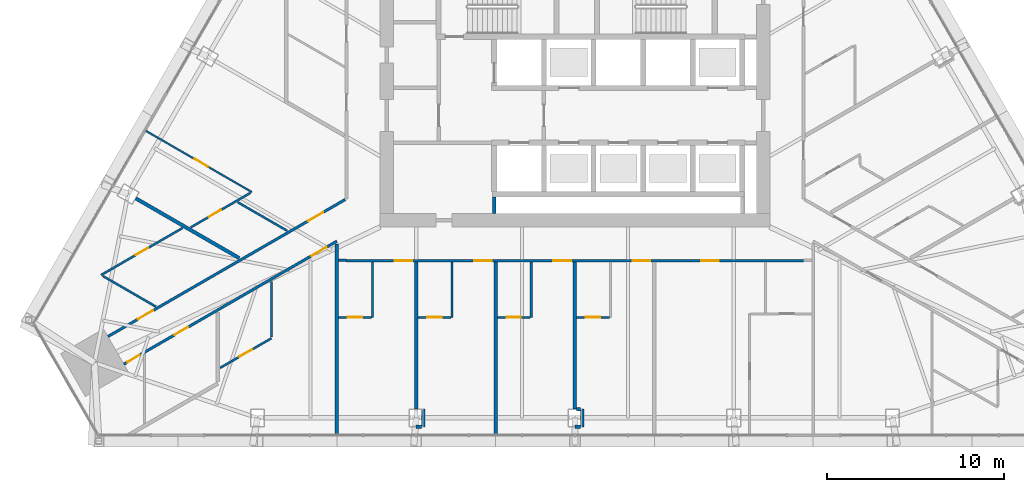
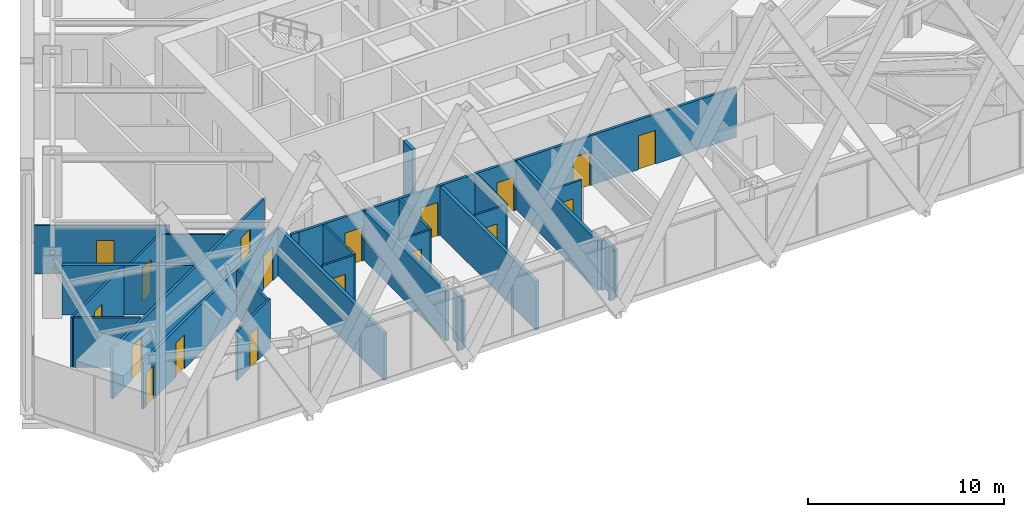
# One storey, part 17 of 24: 29 walls, 18 doors, 18 openings.
"""IFC4 building model written with IfcOpenShell, lengths in metres."""

from ifc_helpers import new_model, si_unit, direction, frame, frame_2d, origin, place, context, subcontext, project, spatial, rectangle, extrude, material, layer, layer_set, type_object, element, fill, save


model = new_model("IFC4")

# Units and contexts
model_context = context("Model", 3, precision=1e-05, world=origin(), true_north=direction((0.0, 1.0)))
body_context = subcontext(model_context, "Body", "Model", "MODEL_VIEW")
ifc_project = project(units=[si_unit("LENGTHUNIT", "METRE"), si_unit("AREAUNIT", "SQUARE_METRE"), si_unit("VOLUMEUNIT", "CUBIC_METRE"), si_unit("PLANEANGLEUNIT", "RADIAN"), si_unit("MASSUNIT", "GRAM", prefix="KILO")], contexts=[model_context])

# Site, building, storey
site_placement = place(None, origin())
site = spatial("IfcSite", under=ifc_project, at=site_placement, CompositionType="ELEMENT")
building_placement = place(site_placement, origin())
building = spatial("IfcBuilding", under=site, at=building_placement, Name="Firuza Gate Tower and Library", CompositionType="ELEMENT")
storey_placement = place(building_placement, frame((0.0, 0.0, 171.39990234375)))
storey = spatial("IfcBuildingStorey", under=building, at=storey_placement, Name="L39", CompositionType="ELEMENT", Elevation=171.39990234375)

# Wall
ifc_material_1 = material(Name="Plasterboard on steel studs", Category="steel")
ifc_layer_1 = layer(ifc_material_1, 0.199951171875)
ifc_layer_set_1 = layer_set([ifc_layer_1], Name="Core partition 200 EI 120")
wall_type_1 = type_object("IfcWallType", Name="Core partition 200 EI 120", PredefinedType="PARTITIONING", material=ifc_layer_set_1)
wall_1_placement = place(storey_placement, frame((70.449951171875, 67.75, 0.0), z_axis=(0.0, 0.0, 1.0), x_axis=(0.0, 1.0, 0.0)))
element("IfcWall", 1, at=wall_1_placement, inside=storey, type_object=wall_type_1, Name="Core partition L39 9", PredefinedType="PARTITIONING", context=body_context, shape_type="SweptSolid", body=[
    extrude(rectangle(XDim=0.949951171875, YDim=0.199951171875, at=frame_2d((0.47509765625, 0.0))), origin(), (0.0, 0.0, 1.0), 3.7001953125),
])

# Wall, openings, doors
ifc_material_2 = material(Name="Gypsum board partition")
ifc_layer_2 = layer(ifc_material_2, 0.14990234375)
ifc_layer_set_2 = layer_set([ifc_layer_2], Name="Corridor wall 150 double board on steel studs")
wall_type_2 = type_object("IfcWallType", Name="Corridor wall 150 double board on steel studs", PredefinedType="PARTITIONING", material=ifc_layer_set_2)
wall_2_placement = place(storey_placement, frame((87.8994140625, 65.10009765625, 0.0), z_axis=(0.0, 0.0, 1.0), x_axis=(-1.0, 0.0, 0.0)))
wall_2 = element("IfcWall", 2, at=wall_2_placement, inside=storey, type_object=wall_type_2, Name="f:L39:w008", PredefinedType="PARTITIONING", context=body_context, shape_type="SweptSolid", body=[
    extrude(rectangle(XDim=25.798828125, YDim=0.14990234375, at=frame_2d((12.8994140625, 0.0))), origin(), (0.0, 0.0, 1.0), 3.10009765625),
])
opening_1_placement = place(wall_2_placement, frame((4.781982421875, 0.0, 0.0)))
opening_1 = element("IfcOpeningElement", 3, at=opening_1_placement, cuts=wall_2, Name="Opening L39-06", PredefinedType="OPENING", context=body_context, shape_type="SweptSolid", body=[
    extrude(rectangle(XDim=1.0, YDim=2.10009765625, at=frame_2d((0.5, 1.050048828125))), frame((0.0, 0.0849609375, 0.0), z_axis=(0.0, -1.0, 0.0), x_axis=(1.0, 0.0, 0.0)), (0.0, 0.0, 1.0), 0.169921875),
])
opening_2_placement = place(wall_2_placement, frame((8.63623046875, 0.0, 0.0)))
opening_2 = element("IfcOpeningElement", 4, at=opening_2_placement, cuts=wall_2, Name="Opening L39-07", PredefinedType="OPENING", context=body_context, shape_type="SweptSolid", body=[
    extrude(rectangle(XDim=1.0, YDim=2.10009765625, at=frame_2d((0.5, 1.050048828125))), frame((0.0, 0.0849609375, 0.0), z_axis=(0.0, -1.0, 0.0), x_axis=(1.0, 0.0, 0.0)), (0.0, 0.0, 1.0), 0.169921875),
])
opening_3_placement = place(wall_2_placement, frame((13.1171875, 0.0, 0.0)))
opening_3 = element("IfcOpeningElement", 5, at=opening_3_placement, cuts=wall_2, Name="Opening L39-08", PredefinedType="OPENING", context=body_context, shape_type="SweptSolid", body=[
    extrude(rectangle(XDim=1.0, YDim=2.10009765625, at=frame_2d((0.5, 1.050048828125))), frame((0.0, 0.0849609375, 0.0), z_axis=(0.0, -1.0, 0.0), x_axis=(1.0, 0.0, 0.0)), (0.0, 0.0, 1.0), 0.169921875),
])
opening_4_placement = place(wall_2_placement, frame((17.59814453125, 0.0, 0.0)))
opening_4 = element("IfcOpeningElement", 6, at=opening_4_placement, cuts=wall_2, Name="Opening L39-09", PredefinedType="OPENING", context=body_context, shape_type="SweptSolid", body=[
    extrude(rectangle(XDim=1.0, YDim=2.10009765625, at=frame_2d((0.5, 1.050048828125))), frame((0.0, 0.0849609375, 0.0), z_axis=(0.0, -1.0, 0.0), x_axis=(1.0, 0.0, 0.0)), (0.0, 0.0, 1.0), 0.169921875),
])
opening_5_placement = place(wall_2_placement, frame((22.0791015625, 0.0, 0.0)))
opening_5 = element("IfcOpeningElement", 7, at=opening_5_placement, cuts=wall_2, Name="Opening L39-10", PredefinedType="OPENING", context=body_context, shape_type="SweptSolid", body=[
    extrude(rectangle(XDim=1.0, YDim=2.10009765625, at=frame_2d((0.5, 1.050048828125))), frame((0.0, 0.0849609375, 0.0), z_axis=(0.0, -1.0, 0.0), x_axis=(1.0, 0.0, 0.0)), (0.0, 0.0, 1.0), 0.169921875),
])
ifc_material_3 = material(Name="Steel door and timber leaf", Category="steel")
door_type_1 = type_object("IfcDoorType", Name="Fire door 1000 x 2100 steel frame, timber leaf", OperationType="NOTDEFINED", PredefinedType="DOOR", material=ifc_material_3)
door_1_placement = place(opening_1_placement, origin())
door_1 = element("IfcDoor", 8, at=door_1_placement, inside=storey, type_object=door_type_1, Name="f:L39:d006", OperationType="SINGLE_SWING_RIGHT", OverallHeight=2.10009765625, OverallWidth=1.0, PredefinedType="DOOR", context=body_context, shape_type="SweptSolid", body=[
    extrude(rectangle(XDim=1.0, YDim=2.10009765625, at=frame_2d((0.5, 1.050048828125))), frame((0.0, 0.02490234375, 0.0), z_axis=(0.0, -1.0, 0.0), x_axis=(1.0, 0.0, 0.0)), (0.0, 0.0, 1.0), 0.050048828125),
])
fill(opening_1, door_1)
door_2_placement = place(opening_2_placement, origin())
door_2 = element("IfcDoor", 9, at=door_2_placement, inside=storey, type_object=door_type_1, Name="f:L39:d007", OperationType="SINGLE_SWING_RIGHT", OverallHeight=2.10009765625, OverallWidth=1.0, PredefinedType="DOOR", context=body_context, shape_type="SweptSolid", body=[
    extrude(rectangle(XDim=1.0, YDim=2.10009765625, at=frame_2d((0.5, 1.050048828125))), frame((0.0, 0.02490234375, 0.0), z_axis=(0.0, -1.0, 0.0), x_axis=(1.0, 0.0, 0.0)), (0.0, 0.0, 1.0), 0.050048828125),
])
fill(opening_2, door_2)
door_3_placement = place(opening_3_placement, origin())
door_3 = element("IfcDoor", 10, at=door_3_placement, inside=storey, type_object=door_type_1, Name="f:L39:d008", OperationType="SINGLE_SWING_RIGHT", OverallHeight=2.10009765625, OverallWidth=1.0, PredefinedType="DOOR", context=body_context, shape_type="SweptSolid", body=[
    extrude(rectangle(XDim=1.0, YDim=2.10009765625, at=frame_2d((0.5, 1.050048828125))), frame((0.0, 0.02490234375, 0.0), z_axis=(0.0, -1.0, 0.0), x_axis=(1.0, 0.0, 0.0)), (0.0, 0.0, 1.0), 0.050048828125),
])
fill(opening_3, door_3)
door_4_placement = place(opening_4_placement, origin())
door_4 = element("IfcDoor", 11, at=door_4_placement, inside=storey, type_object=door_type_1, Name="f:L39:d009", OperationType="SINGLE_SWING_RIGHT", OverallHeight=2.10009765625, OverallWidth=1.0, PredefinedType="DOOR", context=body_context, shape_type="SweptSolid", body=[
    extrude(rectangle(XDim=1.0, YDim=2.10009765625, at=frame_2d((0.5, 1.050048828125))), frame((0.0, 0.02490234375, 0.0), z_axis=(0.0, -1.0, 0.0), x_axis=(1.0, 0.0, 0.0)), (0.0, 0.0, 1.0), 0.050048828125),
])
fill(opening_4, door_4)
door_5_placement = place(opening_5_placement, origin())
door_5 = element("IfcDoor", 12, at=door_5_placement, inside=storey, type_object=door_type_1, Name="f:L39:d010", OperationType="SINGLE_SWING_RIGHT", OverallHeight=2.10009765625, OverallWidth=1.0, PredefinedType="DOOR", context=body_context, shape_type="SweptSolid", body=[
    extrude(rectangle(XDim=1.0, YDim=2.10009765625, at=frame_2d((0.5, 1.050048828125))), frame((0.0, 0.02490234375, 0.0), z_axis=(0.0, -1.0, 0.0), x_axis=(1.0, 0.0, 0.0)), (0.0, 0.0, 1.0), 0.050048828125),
])
fill(opening_5, door_5)

# Wall
wall_3_placement = place(storey_placement, frame((61.6572265625, 65.118896484375, 0.0), z_axis=(0.0, 0.0, 1.0), x_axis=(1.0, 0.0, 0.0)))
element("IfcWall", 13, at=wall_3_placement, inside=storey, type_object=wall_type_2, Name="f:L39:w009", PredefinedType="PARTITIONING", context=body_context, shape_type="SweptSolid", body=[
    extrude(rectangle(XDim=0.44287109375, YDim=0.14990234375, at=frame_2d((0.221435546875, 0.0))), origin(), (0.0, 0.0, 1.0), 3.10009765625),
])

# Wall, openings, doors
wall_4_placement = place(storey_placement, frame((61.55712890625, 66.19970703125, 0.0), z_axis=(0.0, 0.0, 1.0), x_axis=(-0.866027723534, -0.499995982055, 0.0)))
wall_4 = element("IfcWall", 14, at=wall_4_placement, inside=storey, type_object=wall_type_2, Name="f:L39:w033", PredefinedType="PARTITIONING", context=body_context, shape_type="SweptSolid", body=[
    extrude(rectangle(XDim=13.88134765625, YDim=0.14990234375, at=frame_2d((6.940673828125, 0.0))), origin(), (0.0, 0.0, 1.0), 2.947021484375),
])
opening_6_placement = place(wall_4_placement, frame((0.660888671875, 0.0, 0.0)))
opening_6 = element("IfcOpeningElement", 15, at=opening_6_placement, cuts=wall_4, Name="Opening L39-20", PredefinedType="OPENING", context=body_context, shape_type="SweptSolid", body=[
    extrude(rectangle(XDim=1.0, YDim=2.10009765625, at=frame_2d((0.5, 1.050048828125))), frame((0.0, 0.0849609375, 0.0), z_axis=(0.0, -1.0, 0.0), x_axis=(1.0, 0.0, 0.0)), (0.0, 0.0, 1.0), 0.169921875),
])
opening_7_placement = place(wall_4_placement, frame((9.6962890625, 0.0, 0.0)))
opening_7 = element("IfcOpeningElement", 16, at=opening_7_placement, cuts=wall_4, Name="Opening L39-21", PredefinedType="OPENING", context=body_context, shape_type="SweptSolid", body=[
    extrude(rectangle(XDim=0.89990234375, YDim=2.10009765625, at=frame_2d((0.449951171875, 1.050048828125))), frame((0.0, 0.0849609375, 0.0), z_axis=(0.0, -1.0, 0.0), x_axis=(1.0, 0.0, 0.0)), (0.0, 0.0, 1.0), 0.169921875),
])
opening_8_placement = place(wall_4_placement, frame((12.854736328125, 0.0, 0.0)))
opening_8 = element("IfcOpeningElement", 17, at=opening_8_placement, cuts=wall_4, Name="Opening L39-22", PredefinedType="OPENING", context=body_context, shape_type="SweptSolid", body=[
    extrude(rectangle(XDim=0.800048828125, YDim=2.10009765625, at=frame_2d((0.39990234375, 1.050048828125))), frame((0.0, 0.0849609375, 0.0), z_axis=(0.0, -1.0, 0.0), x_axis=(1.0, 0.0, 0.0)), (0.0, 0.0, 1.0), 0.169921875),
])
ifc_material_4 = material(Name="Timber door", Category="wood")
door_type_2 = type_object("IfcDoorType", Name="Door 800 x 2100 timber leaf", OperationType="NOTDEFINED", PredefinedType="DOOR", material=ifc_material_4)
door_6_placement = place(opening_8_placement, origin())
door_6 = element("IfcDoor", 18, at=door_6_placement, inside=storey, type_object=door_type_2, Name="f:L39:d022", OperationType="SINGLE_SWING_RIGHT", OverallHeight=2.10009765625, OverallWidth=0.800048828125, PredefinedType="DOOR", context=body_context, shape_type="SweptSolid", body=[
    extrude(rectangle(XDim=0.800048828125, YDim=2.10009765625, at=frame_2d((0.39990234375, 1.050048828125))), frame((0.0, 0.02490234375, 0.0), z_axis=(0.0, -1.0, 0.0), x_axis=(1.0, 0.0, 0.0)), (0.0, 0.0, 1.0), 0.050048828125),
])
fill(opening_8, door_6)
door_7_placement = place(opening_6_placement, origin())
door_7 = element("IfcDoor", 19, at=door_7_placement, inside=storey, type_object=door_type_1, Name="f:L39:d020", OperationType="SINGLE_SWING_RIGHT", OverallHeight=2.10009765625, OverallWidth=1.0, PredefinedType="DOOR", context=body_context, shape_type="SweptSolid", body=[
    extrude(rectangle(XDim=1.0, YDim=2.10009765625, at=frame_2d((0.5, 1.050048828125))), frame((0.0, 0.02490234375, 0.0), z_axis=(0.0, -1.0, 0.0), x_axis=(1.0, 0.0, 0.0)), (0.0, 0.0, 1.0), 0.050048828125),
])
fill(opening_6, door_7)
ifc_material_5 = material(Name="Steel door and timber leaf", Category="steel")
door_type_3 = type_object("IfcDoorType", Name="Fire door 900 x 2100 steel frame, timber leaf", OperationType="NOTDEFINED", PredefinedType="DOOR", material=ifc_material_5)
door_8_placement = place(opening_7_placement, origin())
door_8 = element("IfcDoor", 20, at=door_8_placement, inside=storey, type_object=door_type_3, Name="f:L39:d021", OperationType="SINGLE_SWING_LEFT", OverallHeight=2.10009765625, OverallWidth=0.89990234375, PredefinedType="DOOR", context=body_context, shape_type="SweptSolid", body=[
    extrude(rectangle(XDim=0.89990234375, YDim=2.10009765625, at=frame_2d((0.449951171875, 1.050048828125))), frame((0.0, 0.02490234375, 0.0), z_axis=(0.0, -1.0, 0.0), x_axis=(1.0, 0.0, 0.0)), (0.0, 0.0, 1.0), 0.050048828125),
])
fill(opening_7, door_8)

wall_5_placement = place(storey_placement, frame((48.635498046875, 60.81787109375, 0.0), z_axis=(0.0, 0.0, 1.0), x_axis=(0.866029648708, 0.499992647504, 0.0)))
wall_5 = element("IfcWall", 21, at=wall_5_placement, inside=storey, type_object=wall_type_2, Name="f:L39:w035", PredefinedType="PARTITIONING", context=body_context, shape_type="SweptSolid", body=[
    extrude(rectangle(XDim=15.460693359375, YDim=0.14990234375, at=frame_2d((7.73046875, 0.0))), origin(), (0.0, 0.0, 1.0), 3.10009765625),
])
opening_9_placement = place(wall_5_placement, frame((1.945068359375, 0.0, 0.0)))
opening_9 = element("IfcOpeningElement", 22, at=opening_9_placement, cuts=wall_5, Name="Opening L39-24", PredefinedType="OPENING", context=body_context, shape_type="SweptSolid", body=[
    extrude(rectangle(XDim=1.0, YDim=2.10009765625, at=frame_2d((0.5, 1.050048828125))), frame((0.0, 0.0849609375, 0.0), z_axis=(0.0, -1.0, 0.0), x_axis=(1.0, 0.0, 0.0)), (0.0, 0.0, 1.0), 0.169921875),
])
opening_10_placement = place(wall_5_placement, frame((13.034423828125, 0.0, 0.0)))
opening_10 = element("IfcOpeningElement", 23, at=opening_10_placement, cuts=wall_5, Name="Opening L39-25", PredefinedType="OPENING", context=body_context, shape_type="SweptSolid", body=[
    extrude(rectangle(XDim=1.0, YDim=2.10009765625, at=frame_2d((0.5, 1.050048828125))), frame((0.0, 0.0849609375, 0.0), z_axis=(0.0, -1.0, 0.0), x_axis=(1.0, 0.0, 0.0)), (0.0, 0.0, 1.0), 0.169921875),
])
door_9_placement = place(opening_9_placement, origin())
door_9 = element("IfcDoor", 24, at=door_9_placement, inside=storey, type_object=door_type_1, Name="f:L39:d024", OperationType="SINGLE_SWING_LEFT", OverallHeight=2.10009765625, OverallWidth=1.0, PredefinedType="DOOR", context=body_context, shape_type="SweptSolid", body=[
    extrude(rectangle(XDim=1.0, YDim=2.10009765625, at=frame_2d((0.5, 1.050048828125))), frame((0.0, 0.02490234375, 0.0), z_axis=(0.0, -1.0, 0.0), x_axis=(1.0, 0.0, 0.0)), (0.0, 0.0, 1.0), 0.050048828125),
])
fill(opening_9, door_9)
door_10_placement = place(opening_10_placement, origin())
door_10 = element("IfcDoor", 25, at=door_10_placement, inside=storey, type_object=door_type_1, Name="f:L39:d025", OperationType="SINGLE_SWING_RIGHT", OverallHeight=2.10009765625, OverallWidth=1.0, PredefinedType="DOOR", context=body_context, shape_type="SweptSolid", body=[
    extrude(rectangle(XDim=1.0, YDim=2.10009765625, at=frame_2d((0.5, 1.050048828125))), frame((0.0, 0.02490234375, 0.0), z_axis=(0.0, -1.0, 0.0), x_axis=(1.0, 0.0, 0.0)), (0.0, 0.0, 1.0), 0.050048828125),
])
fill(opening_10, door_10)

# Walls
ifc_material_6 = material(Name="Gypsum board partition")
ifc_layer_3 = layer(ifc_material_6, 0.199951171875)
ifc_layer_set_3 = layer_set([ifc_layer_3], Name="Demising wall 200 acoustic double stud")
wall_type_3 = type_object("IfcWallType", Name="Demising wall 200 acoustic double stud", PredefinedType="PARTITIONING", material=ifc_layer_set_3)
wall_6_placement = place(storey_placement, frame((66.0380859375, 55.720947265625, 0.0), z_axis=(0.0, 0.0, 1.0), x_axis=(1.0, 0.0, 0.0)))
element("IfcWall", 26, at=wall_6_placement, inside=storey, type_object=wall_type_3, Name="f:L39:w000", PredefinedType="PARTITIONING", context=body_context, shape_type="SweptSolid", body=[
    extrude(rectangle(XDim=0.2900390625, YDim=0.199951171875, at=frame_2d((0.14501953125, 0.0))), origin(), (0.0, 0.0, 1.0), 3.10009765625),
])
wall_7_placement = place(storey_placement, frame((75.0, 55.720947265625, 0.0), z_axis=(0.0, 0.0, 1.0), x_axis=(1.0, 0.0, 0.0)))
element("IfcWall", 27, at=wall_7_placement, inside=storey, type_object=wall_type_3, Name="f:L39:w001", PredefinedType="PARTITIONING", context=body_context, shape_type="SweptSolid", body=[
    extrude(rectangle(XDim=0.300048828125, YDim=0.199951171875, at=frame_2d((0.14990234375, 0.0))), origin(), (0.0, 0.0, 1.0), 3.10009765625),
])
wall_8_placement = place(storey_placement, frame((75.10009765625, 56.720947265625, 0.0), z_axis=(0.0, 0.0, 1.0), x_axis=(1.0, 0.0, 0.0)))
element("IfcWall", 28, at=wall_8_placement, inside=storey, type_object=wall_type_3, Name="f:L39:w002", PredefinedType="PARTITIONING", context=body_context, shape_type="SweptSolid", body=[
    extrude(rectangle(XDim=0.199951171875, YDim=0.199951171875, at=frame_2d((0.10009765625, 0.0))), origin(), (0.0, 0.0, 1.0), 3.10009765625),
])
wall_9_placement = place(storey_placement, frame((75.39990234375, 55.720458984375, 0.0), z_axis=(0.0, 0.0, 1.0), x_axis=(0.0, 1.0, 0.0)))
element("IfcWall", 29, at=wall_9_placement, inside=storey, type_object=wall_type_3, Name="f:L39:w065", PredefinedType="PARTITIONING", context=body_context, shape_type="SweptSolid", body=[
    extrude(rectangle(XDim=1.0, YDim=0.199951171875, at=frame_2d((0.5, 0.0))), origin(), (0.0, 0.0, 1.0), 3.022216796875),
])
wall_10_placement = place(storey_placement, frame((75.0, 56.720458984375, 0.0), z_axis=(0.0, 0.0, 1.0), x_axis=(0.0, 1.0, 0.0)))
element("IfcWall", 30, at=wall_10_placement, inside=storey, type_object=wall_type_3, Name="f:L39:w066", PredefinedType="PARTITIONING", context=body_context, shape_type="SweptSolid", body=[
    extrude(rectangle(XDim=8.304443359375, YDim=0.199951171875, at=frame_2d((4.15234375, 0.0))), origin(), (0.0, 0.0, 1.0), 3.10009765625),
])
wall_11_placement = place(storey_placement, frame((70.51904296875, 55.260498046875, 0.0), z_axis=(0.0, 0.0, 1.0), x_axis=(0.0, 1.0, 0.0)))
element("IfcWall", 31, at=wall_11_placement, inside=storey, type_object=wall_type_3, Name="f:L39:w072", PredefinedType="PARTITIONING", context=body_context, shape_type="SweptSolid", body=[
    extrude(rectangle(XDim=9.764404296875, YDim=0.199951171875, at=frame_2d((4.88232421875, 0.0))), origin(), (0.0, 0.0, 1.0), 3.022216796875),
])
wall_12_placement = place(storey_placement, frame((66.43798828125, 55.720458984375, 0.0), z_axis=(0.0, 0.0, 1.0), x_axis=(0.0, 1.0, 0.0)))
element("IfcWall", 32, at=wall_12_placement, inside=storey, type_object=wall_type_3, Name="f:L39:w077", PredefinedType="PARTITIONING", context=body_context, shape_type="SweptSolid", body=[
    extrude(rectangle(XDim=1.0, YDim=0.199951171875, at=frame_2d((0.5, 0.0))), origin(), (0.0, 0.0, 1.0), 3.022216796875),
])
wall_13_placement = place(storey_placement, frame((66.0380859375, 56.720458984375, 0.0), z_axis=(0.0, 0.0, 1.0), x_axis=(0.0, 1.0, 0.0)))
element("IfcWall", 33, at=wall_13_placement, inside=storey, type_object=wall_type_3, Name="f:L39:w078", PredefinedType="PARTITIONING", context=body_context, shape_type="SweptSolid", body=[
    extrude(rectangle(XDim=8.304443359375, YDim=0.199951171875, at=frame_2d((4.15234375, 0.0))), origin(), (0.0, 0.0, 1.0), 3.10009765625),
])
wall_14_placement = place(storey_placement, frame((61.556884765625, 55.260498046875, 0.0), z_axis=(0.0, 0.0, 1.0), x_axis=(0.0, 1.0, 0.0)))
element("IfcWall", 34, at=wall_14_placement, inside=storey, type_object=wall_type_3, Name="f:L39:w081", PredefinedType="PARTITIONING", context=body_context, shape_type="SweptSolid", body=[
    extrude(rectangle(XDim=10.79248046875, YDim=0.199951171875, at=frame_2d((5.396240234375, 0.0))), origin(), (0.0, 0.0, 1.0), 2.947021484375),
])
wall_15_placement = place(storey_placement, frame((56.049072265625, 65.24462890625, 0.0), z_axis=(0.0, 0.0, 1.0), x_axis=(-0.866029476959, 0.499992944988, 0.0)))
element("IfcWall", 35, at=wall_15_placement, inside=storey, type_object=wall_type_3, Name="f:L39:w113", PredefinedType="PARTITIONING", context=body_context, shape_type="SweptSolid", body=[
    extrude(rectangle(XDim=6.7451171875, YDim=0.199951171875, at=frame_2d((3.37255859375, 0.0))), origin(), (0.0, 0.0, 1.0), 3.10009765625),
])

# Wall, opening, door
ifc_material_7 = material(Name="Gypsum board partition")
ifc_layer_4 = layer(ifc_material_7, 0.10009765625)
ifc_layer_set_4 = layer_set([ifc_layer_4], Name="Partition 100 gypsum board on steel studs")
wall_type_4 = type_object("IfcWallType", Name="Partition 100 gypsum board on steel studs", PredefinedType="PARTITIONING", material=ifc_layer_set_4)
wall_16_placement = place(storey_placement, frame((56.760986328125, 68.97314453125, 0.0), z_axis=(0.0, 0.0, 1.0), x_axis=(-0.866022148323, 0.500005638582, 0.0)))
wall_16 = element("IfcWall", 36, at=wall_16_placement, inside=storey, type_object=wall_type_4, Name="f:L39:w111", PredefinedType="PARTITIONING", context=body_context, shape_type="SweptSolid", body=[
    extrude(rectangle(XDim=6.9404296875, YDim=0.10009765625, at=frame_2d((3.47021484375, 0.0))), origin(), (0.0, 0.0, 1.0), 3.022216796875),
])
opening_11_placement = place(wall_16_placement, frame((2.8486328125, 0.0, 0.0)))
opening_11 = element("IfcOpeningElement", 37, at=opening_11_placement, cuts=wall_16, Name="Opening L39-50", PredefinedType="OPENING", context=body_context, shape_type="SweptSolid", body=[
    extrude(rectangle(XDim=0.89990234375, YDim=2.10009765625, at=frame_2d((0.449951171875, 1.050048828125))), frame((0.0, 0.06005859375, 0.0), z_axis=(0.0, -1.0, 0.0), x_axis=(1.0, 0.0, 0.0)), (0.0, 0.0, 1.0), 0.1201171875),
])
ifc_material_8 = material(Name="Timber door", Category="wood")
door_type_4 = type_object("IfcDoorType", Name="Door 900 x 2100 timber leaf", OperationType="NOTDEFINED", PredefinedType="DOOR", material=ifc_material_8)
door_11_placement = place(opening_11_placement, origin())
door_11 = element("IfcDoor", 38, at=door_11_placement, inside=storey, type_object=door_type_4, Name="f:L39:d050", OperationType="SINGLE_SWING_LEFT", OverallHeight=2.10009765625, OverallWidth=0.89990234375, PredefinedType="DOOR", context=body_context, shape_type="SweptSolid", body=[
    extrude(rectangle(XDim=0.89990234375, YDim=2.10009765625, at=frame_2d((0.449951171875, 1.050048828125))), frame((0.0, 0.02490234375, 0.0), z_axis=(0.0, -1.0, 0.0), x_axis=(1.0, 0.0, 0.0)), (0.0, 0.0, 1.0), 0.050048828125),
])
fill(opening_11, door_11)

ifc_material_9 = material(Name="Gypsum board partition")
ifc_layer_5 = layer(ifc_material_9, 0.1201171875)
ifc_layer_set_5 = layer_set([ifc_layer_5], Name="Wet-area partition 120 moisture-resistant board")
wall_type_5 = type_object("IfcWallType", Name="Wet-area partition 120 moisture-resistant board", PredefinedType="PARTITIONING", material=ifc_layer_set_5)
wall_17_placement = place(storey_placement, frame((61.6572265625, 61.89990234375, 0.0), z_axis=(0.0, 0.0, 1.0), x_axis=(1.0, 0.0, 0.0)))
wall_17 = element("IfcWall", 39, at=wall_17_placement, inside=storey, type_object=wall_type_5, Name="f:L39:w003", PredefinedType="PARTITIONING", context=body_context, shape_type="SweptSolid", body=[
    extrude(rectangle(XDim=1.856201171875, YDim=0.1201171875, at=frame_2d((0.92822265625, 0.0))), origin(), (0.0, 0.0, 1.0), 3.10009765625),
])
opening_12_placement = place(wall_17_placement, frame((0.5283203125, 0.0, 0.0)))
opening_12 = element("IfcOpeningElement", 40, at=opening_12_placement, cuts=wall_17, Name="Opening L39-01", PredefinedType="OPENING", context=body_context, shape_type="SweptSolid", body=[
    extrude(rectangle(XDim=0.800048828125, YDim=2.10009765625, at=frame_2d((0.39990234375, 1.050048828125))), frame((0.0, 0.070068359375, 0.0), z_axis=(0.0, -1.0, 0.0), x_axis=(1.0, 0.0, 0.0)), (0.0, 0.0, 1.0), 0.14013671875),
])
door_12_placement = place(opening_12_placement, origin())
door_12 = element("IfcDoor", 41, at=door_12_placement, inside=storey, type_object=door_type_2, Name="f:L39:d001", OperationType="SINGLE_SWING_RIGHT", OverallHeight=2.10009765625, OverallWidth=0.800048828125, PredefinedType="DOOR", context=body_context, shape_type="SweptSolid", body=[
    extrude(rectangle(XDim=0.800048828125, YDim=2.10009765625, at=frame_2d((0.39990234375, 1.050048828125))), frame((0.0, 0.02490234375, 0.0), z_axis=(0.0, -1.0, 0.0), x_axis=(1.0, 0.0, 0.0)), (0.0, 0.0, 1.0), 0.050048828125),
])
fill(opening_12, door_12)

wall_18_placement = place(storey_placement, frame((66.13818359375, 61.89990234375, 0.0), z_axis=(0.0, 0.0, 1.0), x_axis=(1.0, 0.0, 0.0)))
wall_18 = element("IfcWall", 42, at=wall_18_placement, inside=storey, type_object=wall_type_5, Name="f:L39:w004", PredefinedType="PARTITIONING", context=body_context, shape_type="SweptSolid", body=[
    extrude(rectangle(XDim=1.856201171875, YDim=0.1201171875, at=frame_2d((0.92822265625, 0.0))), origin(), (0.0, 0.0, 1.0), 3.10009765625),
])
opening_13_placement = place(wall_18_placement, frame((0.5283203125, 0.0, 0.0)))
opening_13 = element("IfcOpeningElement", 43, at=opening_13_placement, cuts=wall_18, Name="Opening L39-02", PredefinedType="OPENING", context=body_context, shape_type="SweptSolid", body=[
    extrude(rectangle(XDim=0.800048828125, YDim=2.10009765625, at=frame_2d((0.39990234375, 1.050048828125))), frame((0.0, 0.070068359375, 0.0), z_axis=(0.0, -1.0, 0.0), x_axis=(1.0, 0.0, 0.0)), (0.0, 0.0, 1.0), 0.14013671875),
])
door_13_placement = place(opening_13_placement, origin())
door_13 = element("IfcDoor", 44, at=door_13_placement, inside=storey, type_object=door_type_2, Name="f:L39:d002", OperationType="SINGLE_SWING_RIGHT", OverallHeight=2.10009765625, OverallWidth=0.800048828125, PredefinedType="DOOR", context=body_context, shape_type="SweptSolid", body=[
    extrude(rectangle(XDim=0.800048828125, YDim=2.10009765625, at=frame_2d((0.39990234375, 1.050048828125))), frame((0.0, 0.02490234375, 0.0), z_axis=(0.0, -1.0, 0.0), x_axis=(1.0, 0.0, 0.0)), (0.0, 0.0, 1.0), 0.050048828125),
])
fill(opening_13, door_13)

wall_19_placement = place(storey_placement, frame((70.619140625, 61.89990234375, 0.0), z_axis=(0.0, 0.0, 1.0), x_axis=(1.0, 0.0, 0.0)))
wall_19 = element("IfcWall", 45, at=wall_19_placement, inside=storey, type_object=wall_type_5, Name="f:L39:w005", PredefinedType="PARTITIONING", context=body_context, shape_type="SweptSolid", body=[
    extrude(rectangle(XDim=1.846435546875, YDim=0.1201171875, at=frame_2d((0.92333984375, 0.0))), origin(), (0.0, 0.0, 1.0), 3.10009765625),
])
opening_14_placement = place(wall_19_placement, frame((0.523193359375, 0.0, 0.0)))
opening_14 = element("IfcOpeningElement", 46, at=opening_14_placement, cuts=wall_19, Name="Opening L39-03", PredefinedType="OPENING", context=body_context, shape_type="SweptSolid", body=[
    extrude(rectangle(XDim=0.800048828125, YDim=2.10009765625, at=frame_2d((0.39990234375, 1.050048828125))), frame((0.0, 0.070068359375, 0.0), z_axis=(0.0, -1.0, 0.0), x_axis=(1.0, 0.0, 0.0)), (0.0, 0.0, 1.0), 0.14013671875),
])
door_14_placement = place(opening_14_placement, origin())
door_14 = element("IfcDoor", 47, at=door_14_placement, inside=storey, type_object=door_type_2, Name="f:L39:d003", OperationType="SINGLE_SWING_RIGHT", OverallHeight=2.10009765625, OverallWidth=0.800048828125, PredefinedType="DOOR", context=body_context, shape_type="SweptSolid", body=[
    extrude(rectangle(XDim=0.800048828125, YDim=2.10009765625, at=frame_2d((0.39990234375, 1.050048828125))), frame((0.0, 0.02490234375, 0.0), z_axis=(0.0, -1.0, 0.0), x_axis=(1.0, 0.0, 0.0)), (0.0, 0.0, 1.0), 0.050048828125),
])
fill(opening_14, door_14)

wall_20_placement = place(storey_placement, frame((75.10009765625, 61.89990234375, 0.0), z_axis=(0.0, 0.0, 1.0), x_axis=(1.0, 0.0, 0.0)))
wall_20 = element("IfcWall", 48, at=wall_20_placement, inside=storey, type_object=wall_type_5, Name="f:L39:w006", PredefinedType="PARTITIONING", context=body_context, shape_type="SweptSolid", body=[
    extrude(rectangle(XDim=1.846435546875, YDim=0.1201171875, at=frame_2d((0.92333984375, 0.0))), origin(), (0.0, 0.0, 1.0), 3.10009765625),
])
opening_15_placement = place(wall_20_placement, frame((0.523193359375, 0.0, 0.0)))
opening_15 = element("IfcOpeningElement", 49, at=opening_15_placement, cuts=wall_20, Name="Opening L39-04", PredefinedType="OPENING", context=body_context, shape_type="SweptSolid", body=[
    extrude(rectangle(XDim=0.800048828125, YDim=2.10009765625, at=frame_2d((0.39990234375, 1.050048828125))), frame((0.0, 0.070068359375, 0.0), z_axis=(0.0, -1.0, 0.0), x_axis=(1.0, 0.0, 0.0)), (0.0, 0.0, 1.0), 0.14013671875),
])
door_15_placement = place(opening_15_placement, origin())
door_15 = element("IfcDoor", 50, at=door_15_placement, inside=storey, type_object=door_type_2, Name="f:L39:d004", OperationType="SINGLE_SWING_RIGHT", OverallHeight=2.10009765625, OverallWidth=0.800048828125, PredefinedType="DOOR", context=body_context, shape_type="SweptSolid", body=[
    extrude(rectangle(XDim=0.800048828125, YDim=2.10009765625, at=frame_2d((0.39990234375, 1.050048828125))), frame((0.0, 0.02490234375, 0.0), z_axis=(0.0, -1.0, 0.0), x_axis=(1.0, 0.0, 0.0)), (0.0, 0.0, 1.0), 0.050048828125),
])
fill(opening_15, door_15)

wall_21_placement = place(storey_placement, frame((54.97021484375, 59.048095703125, 0.0), z_axis=(0.0, 0.0, 1.0), x_axis=(0.866046706318, 0.499963101113, 0.0)))
wall_21 = element("IfcWall", 51, at=wall_21_placement, inside=storey, type_object=wall_type_5, Name="f:L39:w031", PredefinedType="PARTITIONING", context=body_context, shape_type="SweptSolid", body=[
    extrude(rectangle(XDim=3.337158203125, YDim=0.1201171875, at=frame_2d((1.66845703125, 0.0))), origin(), (0.0, 0.0, 1.0), 3.10009765625),
])
opening_16_placement = place(wall_21_placement, frame((1.2685546875, 0.0, 0.0)))
opening_16 = element("IfcOpeningElement", 52, at=opening_16_placement, cuts=wall_21, Name="Opening L39-19", PredefinedType="OPENING", context=body_context, shape_type="SweptSolid", body=[
    extrude(rectangle(XDim=0.800048828125, YDim=2.10009765625, at=frame_2d((0.39990234375, 1.050048828125))), frame((0.0, 0.070068359375, 0.0), z_axis=(0.0, -1.0, 0.0), x_axis=(1.0, 0.0, 0.0)), (0.0, 0.0, 1.0), 0.14013671875),
])
door_16_placement = place(opening_16_placement, origin())
door_16 = element("IfcDoor", 53, at=door_16_placement, inside=storey, type_object=door_type_2, Name="f:L39:d019", OperationType="SINGLE_SWING_RIGHT", OverallHeight=2.10009765625, OverallWidth=0.800048828125, PredefinedType="DOOR", context=body_context, shape_type="SweptSolid", body=[
    extrude(rectangle(XDim=0.800048828125, YDim=2.10009765625, at=frame_2d((0.39990234375, 1.050048828125))), frame((0.0, 0.02490234375, 0.0), z_axis=(0.0, -1.0, 0.0), x_axis=(1.0, 0.0, 0.0)), (0.0, 0.0, 1.0), 0.050048828125),
])
fill(opening_16, door_16)

wall_22_placement = place(storey_placement, frame((56.67626953125, 68.92431640625, 0.0), z_axis=(0.0, 0.0, 1.0), x_axis=(-0.866019241107, -0.500010673919, 0.0)))
wall_22 = element("IfcWall", 54, at=wall_22_placement, inside=storey, type_object=wall_type_5, Name="f:L39:w036", PredefinedType="PARTITIONING", context=body_context, shape_type="SweptSolid", body=[
    extrude(rectangle(XDim=3.88623046875, YDim=0.1201171875, at=frame_2d((1.943115234375, 0.0))), origin(), (0.0, 0.0, 1.0), 3.10009765625),
])
opening_17_placement = place(wall_22_placement, frame((1.91162109375, 0.0, 0.0)))
opening_17 = element("IfcOpeningElement", 55, at=opening_17_placement, cuts=wall_22, Name="Opening L39-26", PredefinedType="OPENING", context=body_context, shape_type="SweptSolid", body=[
    extrude(rectangle(XDim=0.800048828125, YDim=2.10009765625, at=frame_2d((0.39990234375, 1.050048828125))), frame((0.0, 0.070068359375, 0.0), z_axis=(0.0, -1.0, 0.0), x_axis=(1.0, 0.0, 0.0)), (0.0, 0.0, 1.0), 0.14013671875),
])
door_17_placement = place(opening_17_placement, origin())
door_17 = element("IfcDoor", 56, at=door_17_placement, inside=storey, type_object=door_type_2, Name="f:L39:d026", OperationType="SINGLE_SWING_LEFT", OverallHeight=2.10009765625, OverallWidth=0.800048828125, PredefinedType="DOOR", context=body_context, shape_type="SweptSolid", body=[
    extrude(rectangle(XDim=0.800048828125, YDim=2.10009765625, at=frame_2d((0.39990234375, 1.050048828125))), frame((0.0, 0.02490234375, 0.0), z_axis=(0.0, -1.0, 0.0), x_axis=(1.0, 0.0, 0.0)), (0.0, 0.0, 1.0), 0.050048828125),
])
fill(opening_17, door_17)

wall_23_placement = place(storey_placement, frame((52.841552734375, 66.941162109375, 0.0), z_axis=(0.0, 0.0, 1.0), x_axis=(-0.866018407898, -0.500012117035, 0.0)))
wall_23 = element("IfcWall", 57, at=wall_23_placement, inside=storey, type_object=wall_type_5, Name="f:L39:w037", PredefinedType="PARTITIONING", context=body_context, shape_type="SweptSolid", body=[
    extrude(rectangle(XDim=5.301513671875, YDim=0.1201171875, at=frame_2d((2.65087890625, 0.0))), origin(), (0.0, 0.0, 1.0), 3.10009765625),
])
opening_18_placement = place(wall_23_placement, frame((2.250732421875, 0.0, 0.0)))
opening_18 = element("IfcOpeningElement", 58, at=opening_18_placement, cuts=wall_23, Name="Opening L39-27", PredefinedType="OPENING", context=body_context, shape_type="SweptSolid", body=[
    extrude(rectangle(XDim=0.800048828125, YDim=2.10009765625, at=frame_2d((0.39990234375, 1.050048828125))), frame((0.0, 0.070068359375, 0.0), z_axis=(0.0, -1.0, 0.0), x_axis=(1.0, 0.0, 0.0)), (0.0, 0.0, 1.0), 0.14013671875),
])
door_18_placement = place(opening_18_placement, origin())
door_18 = element("IfcDoor", 59, at=door_18_placement, inside=storey, type_object=door_type_2, Name="f:L39:d027", OperationType="SINGLE_SWING_LEFT", OverallHeight=2.10009765625, OverallWidth=0.800048828125, PredefinedType="DOOR", context=body_context, shape_type="SweptSolid", body=[
    extrude(rectangle(XDim=0.800048828125, YDim=2.10009765625, at=frame_2d((0.39990234375, 1.050048828125))), frame((0.0, 0.02490234375, 0.0), z_axis=(0.0, -1.0, 0.0), x_axis=(1.0, 0.0, 0.0)), (0.0, 0.0, 1.0), 0.050048828125),
])
fill(opening_18, door_18)

# Walls
for number, where, z_axis, x_axis, name in (
    (60, (72.534912109375, 61.89990234375, 0.0), (0.0, 0.0, 1.0), (0.0, 1.0, 0.0), "f:L39:w069"),
    (61, (68.054931640625, 61.89990234375, 0.0), (0.0, 0.0, 1.0), (0.0, 1.0, 0.0), "f:L39:w074"),
    (62, (63.573974609375, 61.89990234375, 0.0), (0.0, 0.0, 1.0), (0.0, 1.0, 0.0), "f:L39:w079"),
):
    element("IfcWall", number, at=place(storey_placement, frame(where, z_axis=z_axis, x_axis=x_axis)), inside=storey, type_object=wall_type_5, Name=name, PredefinedType="PARTITIONING", context=body_context, shape_type="SweptSolid", body=[
        extrude(rectangle(XDim=3.125, YDim=0.1201171875, at=frame_2d((1.5625, 0.0))), origin(), (0.0, 0.0, 1.0), 3.10009765625),
    ])
wall_24_placement = place(storey_placement, frame((57.860107421875, 60.785888671875, 0.0), z_axis=(0.0, 0.0, 1.0), x_axis=(0.0, 1.0, 0.0)))
element("IfcWall", 63, at=wall_24_placement, inside=storey, type_object=wall_type_5, Name="f:L39:w083", PredefinedType="PARTITIONING", context=body_context, shape_type="SweptSolid", body=[
    extrude(rectangle(XDim=3.152587890625, YDim=0.1201171875, at=frame_2d((1.576171875, 0.0))), origin(), (0.0, 0.0, 1.0), 2.947021484375),
])
wall_25_placement = place(storey_placement, frame((58.75537109375, 66.787109375, 0.0), z_axis=(0.0, 0.0, 1.0), x_axis=(-0.866019355129, 0.500010476433, 0.0)))
element("IfcWall", 64, at=wall_25_placement, inside=storey, type_object=wall_type_5, Name="f:L39:w112", PredefinedType="PARTITIONING", context=body_context, shape_type="SweptSolid", body=[
    extrude(rectangle(XDim=3.228515625, YDim=0.1201171875, at=frame_2d((1.6142578125, 0.0))), origin(), (0.0, 0.0, 1.0), 3.10009765625),
])
wall_26_placement = place(storey_placement, frame((51.340576171875, 62.505859375, 0.0), z_axis=(0.0, 0.0, 1.0), x_axis=(-0.866015170855, 0.500017723536, 0.0)))
element("IfcWall", 65, at=wall_26_placement, inside=storey, type_object=wall_type_5, Name="f:L39:w114", PredefinedType="PARTITIONING", context=body_context, shape_type="SweptSolid", body=[
    extrude(rectangle(XDim=3.459228515625, YDim=0.1201171875, at=frame_2d((1.7294921875, 0.0))), origin(), (0.0, 0.0, 1.0), 3.10009765625),
])

save(model, "model.ifc")
